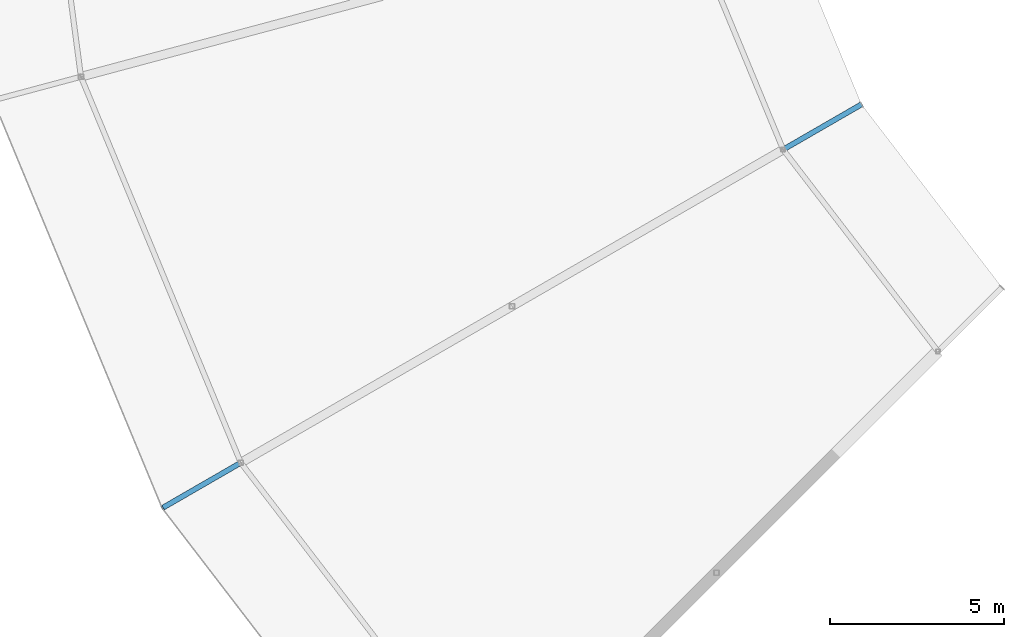
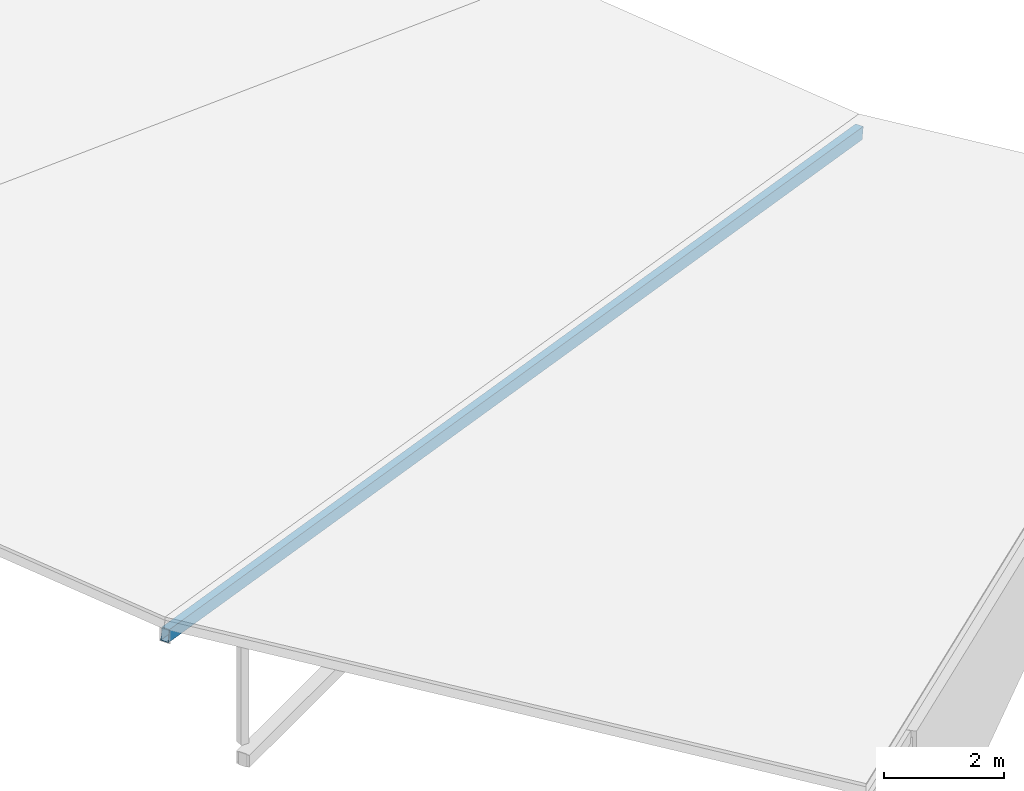
# One storey, part 7 of 70: 1 member.
"""IFC4 building model written with IfcOpenShell, lengths in metres."""

import ifcopenshell
import ifcopenshell.guid

model = None  # the IFC model being written
_history = None  # IfcOwnerHistory: only IFC2X3 demands one
_inside = {}  # id of a spatial element -> (the spatial element, [elements in it])
_under = {}  # id of a project, library or spatial element -> (it, [spatial elements below it])
_declared = {}  # id of a project -> (the project, [libraries it declares])
_typed = {}  # id of a type object -> (the type object, [elements of that type])
_made_of = {}  # id of a material, layer set ... -> (it, [elements and type objects made of it])


def new_model(schema):
    """Start an empty IFC model of exactly this schema.

    Asked for "IFC4X3", IfcOpenShell would pick the latest addendum, in which some entities
    have other attributes; the version numbers below select the first issue.
    IFC2X3 requires an IfcOwnerHistory on every rooted entity: one is made here for all.
    """
    global model, _history
    if schema == "IFC4X3":
        model = ifcopenshell.file(schema_version=(4, 3, 0, 0))
    else:
        model = ifcopenshell.file(schema=schema)
    _inside.clear()
    _under.clear()
    _declared.clear()
    _typed.clear()
    _made_of.clear()
    _history = None
    if model.schema == "IFC2X3":
        org = make("IfcOrganization", Name="unknown")
        user = make(
            "IfcPersonAndOrganization",
            ThePerson=make("IfcPerson", FamilyName="unknown"),
            TheOrganization=org,
        )
        app = make(
            "IfcApplication",
            ApplicationDeveloper=org,
            Version="unknown",
            ApplicationFullName="unknown",
            ApplicationIdentifier="unknown",
        )
        _history = make(
            "IfcOwnerHistory",
            OwningUser=user,
            OwningApplication=app,
            ChangeAction="ADDED",
            CreationDate=0,
        )
    return model


def make(cls, **values):
    """One entity of the class cls with the attributes given. An attribute that is None is left unset."""
    return model.create_entity(
        cls, **{name: value for name, value in values.items() if value is not None}
    )


def rooted(cls, **values):
    """An entity with a GlobalId (a new one), such as an element, a storey or a relation."""
    return make(cls, GlobalId=ifcopenshell.guid.new(), OwnerHistory=_history, **values)


def si_unit(unit_type, name, prefix=None):
    """IfcSIUnit, for example si_unit("LENGTHUNIT", "METRE", prefix="MILLI")."""
    return make("IfcSIUnit", UnitType=unit_type, Prefix=prefix, Name=name)


def assignment(units):
    """IfcUnitAssignment: the units of a project."""
    return None if units is None else make("IfcUnitAssignment", Units=units)


def point(xyz):
    """IfcCartesianPoint."""
    return None if xyz is None else make("IfcCartesianPoint", Coordinates=xyz)


def direction(xyz):
    """IfcDirection."""
    return None if xyz is None else make("IfcDirection", DirectionRatios=xyz)


def frame(location, z_axis=None, x_axis=None):
    """IfcAxis2Placement3D, a coordinate frame: its origin and axes. An axis left out is left unset."""
    return make(
        "IfcAxis2Placement3D",
        Location=point(location),
        Axis=direction(z_axis),
        RefDirection=direction(x_axis),
    )


def frame_2d(location, x_axis=None):
    """IfcAxis2Placement2D, a coordinate frame in the plane: its origin and x axis."""
    return make(
        "IfcAxis2Placement2D", Location=point(location), RefDirection=direction(x_axis)
    )


def origin():
    """The frame at (0, 0, 0) with its axes left unset."""
    return frame((0.0, 0.0, 0.0))


def origin_2d():
    """The frame at (0, 0) in the plane with its x axis left unset."""
    return frame_2d((0.0, 0.0))


def place(relative_to, where):
    """IfcLocalPlacement: puts the frame where relative to a parent placement (None: the world)."""
    return make(
        "IfcLocalPlacement", PlacementRelTo=relative_to, RelativePlacement=where
    )


def context(
    kind, dimensions, precision=None, world=None, true_north=None, identifier=None
):
    """IfcGeometricRepresentationContext, for example the 3D "Model" context."""
    return make(
        "IfcGeometricRepresentationContext",
        ContextIdentifier=identifier,
        ContextType=kind,
        CoordinateSpaceDimension=dimensions,
        Precision=precision,
        WorldCoordinateSystem=world,
        TrueNorth=true_north,
    )


def subcontext(parent, identifier, kind, view, scale=None):
    """IfcGeometricRepresentationSubContext, for example "Body" below "Model"."""
    return make(
        "IfcGeometricRepresentationSubContext",
        ContextIdentifier=identifier,
        ContextType=kind,
        ParentContext=parent,
        TargetScale=scale,
        TargetView=view,
    )


def project(units=None, contexts=None):
    """IfcProject with its units and contexts."""
    return rooted(
        "IfcProject",
        Name="project",
        RepresentationContexts=contexts,
        UnitsInContext=assignment(units),
    )


def spatial(cls, under=None, at=None, **own):
    """A site, building, storey or space (cls), placed at a placement, below another one or the project."""
    s = rooted(cls, ObjectPlacement=at, **own)
    if under is not None:
        _under.setdefault(under.id(), (under, []))[1].append(s)
    return s


def profile(cls, at=None, kind="AREA", **sizes):
    """A parametric profile (cls). Its sizes go by their IFC names, for example OverallWidth=200.0."""
    return make(cls, ProfileType=kind, Position=at, **sizes)


def hollow_rectangle(**sizes):
    """IfcRectangleHollowProfileDef."""
    return profile("IfcRectangleHollowProfileDef", **sizes)


def extrude(swept, where, along, depth):
    """IfcExtrudedAreaSolid: the profile swept, set in the frame where, extruded along a direction by depth."""
    return make(
        "IfcExtrudedAreaSolid",
        SweptArea=swept,
        Position=where,
        ExtrudedDirection=direction(along),
        Depth=depth,
    )


def shape(context_of_items, identifier, shape_type, items):
    """IfcShapeRepresentation: the items that make up one representation, for example the "Body"."""
    return make(
        "IfcShapeRepresentation",
        ContextOfItems=context_of_items,
        RepresentationIdentifier=identifier,
        RepresentationType=shape_type,
        Items=items,
    )


def material(Name=None, Category=None):
    """IfcMaterial."""
    return make("IfcMaterial", Name=Name, Category=Category)


def material_profile(
    of_material, cross_section, Name=None, Category=None, Priority=None
):
    """IfcMaterialProfile: a cross section and its material."""
    return make(
        "IfcMaterialProfile",
        Name=Name,
        Material=of_material,
        Profile=cross_section,
        Priority=Priority,
        Category=Category,
    )


def profile_set(profiles, Name=None, composite=None):
    """IfcMaterialProfileSet."""
    return make(
        "IfcMaterialProfileSet",
        Name=Name,
        MaterialProfiles=profiles,
        CompositeProfile=composite,
    )


def made_of(thing, what):
    """Note that an element or type object is made of a material, layer set ...; save() writes the relation."""
    if what is not None:
        _made_of.setdefault(what.id(), (what, []))[1].append(thing)
    return thing


def type_object(cls, material=None, **own):
    """A type object (cls), such as IfcWallType, which elements share."""
    return made_of(rooted(cls, **own), material)


def element(
    cls,
    number,
    at=None,
    inside=None,
    cuts=None,
    type_object=None,
    material=None,
    context=None,
    identifier="Body",
    shape_type=None,
    held_by="IfcProductDefinitionShape",
    body=None,
    shapes=None,
    **own,
):
    """One element of the class cls, such as IfcWall. Its Tag is "e" and its number.

    at: its placement. inside: the storey or other place that contains it. cuts: it is an
    opening in that element (IfcRelVoidsElement). A single representation is given by context,
    identifier, shape_type and body (its items); several are given by shapes. held_by: the class
    of the entity that holds the representations. save() writes the other relations.
    """
    e = rooted(cls, Tag="e%d" % number, ObjectPlacement=at, **own)
    if body is not None:
        shapes = [shape(context, identifier, shape_type, body)]
    if shapes is not None:
        e.Representation = make(held_by, Representations=shapes)
    if inside is not None:
        _inside.setdefault(inside.id(), (inside, []))[1].append(e)
    if cuts is not None:
        rooted(
            "IfcRelVoidsElement", RelatingBuildingElement=cuts, RelatedOpeningElement=e
        )
    if type_object is not None:
        _typed.setdefault(type_object.id(), (type_object, []))[1].append(e)
    return made_of(e, material)


def aggregate(whole, parts):
    """IfcRelAggregates: a whole, such as a stair, and the parts it consists of."""
    return rooted("IfcRelAggregates", RelatingObject=whole, RelatedObjects=parts)


def save(model, path):
    """Write the relations noted so far, then the file.

    IfcRelAggregates (storeys below a building ...), IfcRelContainedInSpatialStructure (elements
    in a storey), IfcRelDefinesByType, IfcRelAssociatesMaterial and IfcRelDeclares: one each for
    every whole, place, type object, material and project.
    """
    for whole, parts in _under.values():
        aggregate(whole, parts)
    for where, things in _inside.values():
        rooted(
            "IfcRelContainedInSpatialStructure",
            RelatedElements=things,
            RelatingStructure=where,
        )
    for kind, things in _typed.values():
        rooted("IfcRelDefinesByType", RelatedObjects=things, RelatingType=kind)
    for what, things in _made_of.values():
        rooted("IfcRelAssociatesMaterial", RelatedObjects=things, RelatingMaterial=what)
    for by, libraries in _declared.values():
        rooted("IfcRelDeclares", RelatingContext=by, RelatedDefinitions=libraries)
    model.write(path)


model = new_model("IFC4")

# Units and contexts
model_context = context("Model", 3, precision=1e-05, world=origin(), true_north=direction((0.0, 1.0)))
body_context = subcontext(model_context, "Body", "Model", "MODEL_VIEW")
ifc_project = project(units=[si_unit("LENGTHUNIT", "METRE"), si_unit("AREAUNIT", "SQUARE_METRE"), si_unit("VOLUMEUNIT", "CUBIC_METRE"), si_unit("PLANEANGLEUNIT", "RADIAN"), si_unit("MASSUNIT", "GRAM", prefix="KILO")], contexts=[model_context])

# Site, building, storey
site_placement = place(None, origin())
site = spatial("IfcSite", under=ifc_project, at=site_placement, CompositionType="ELEMENT")
building_placement = place(site_placement, origin())
building = spatial("IfcBuilding", under=site, at=building_placement, Name="Vondelvale Polytechnic", CompositionType="ELEMENT")
storey_placement = place(building_placement, frame((0.0, 0.0, 22.199951171875)))
storey = spatial("IfcBuildingStorey", under=building, at=storey_placement, Name="L05", CompositionType="ELEMENT", Elevation=22.199951171875)

# Member
ifc_material = material(Name="Steel C350L0 (fy = 350 MPa)", Category="steel")
ifc_material_profile = material_profile(ifc_material, hollow_rectangle(XDim=0.14990234375, YDim=0.25, WallThickness=0.006103515625, at=origin_2d()), Name="250x150x6.0RHS")
ifc_profile_set = profile_set([ifc_material_profile], Name="Steel C350L0 (fy = 350 MPa)")
member_type = type_object("IfcMemberType", Name="RAFTER RHS250", PredefinedType="RAFTER", material=ifc_profile_set)
member_placement = place(storey_placement, frame((59.9111328125, 47.699951171875, 3.765869140625), z_axis=(0.85463514825, 0.493427802493, -0.161640858395), x_axis=(-0.500003016864, 0.86602366199, 0.0)))
element("IfcMember", 1, at=member_placement, inside=storey, type_object=member_type, Name="Ring inward-sloping rafter 14", PredefinedType="RAFTER", context=body_context, shape_type="SweptSolid", body=[
    extrude(hollow_rectangle(XDim=0.14990234375, YDim=0.25, WallThickness=0.006103515625, at=origin_2d()), origin(), (0.0, 0.0, 1.0), 23.50927734375),
])

save(model, "model.ifc")
